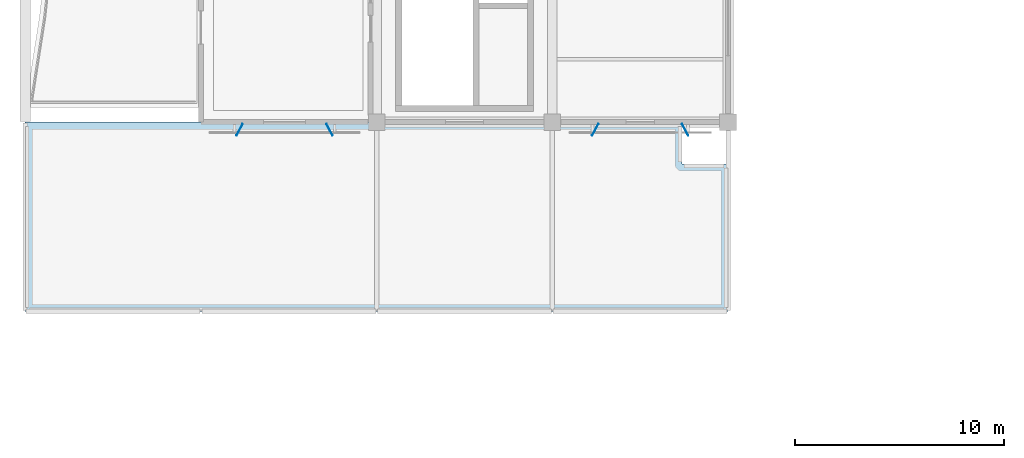
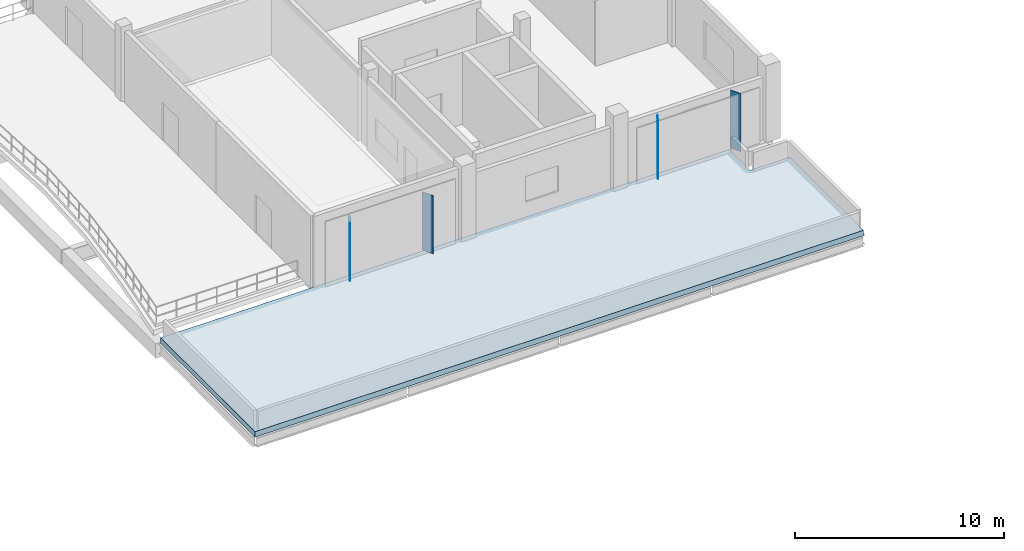
# One storey, part 6 of 34: 4 plates, 1 slab.
"""IFC4 building model written with IfcOpenShell, lengths in metres."""

from ifc_helpers import new_model, si_unit, direction, frame, origin, origin_2d, place, context, subcontext, project, spatial, polyline, rectangle, outline, extrude, material, layer, layer_set, type_object, element, save


model = new_model("IFC4")

# Units and contexts
model_context = context("Model", 3, precision=1e-05, world=origin(), true_north=direction((0.0, 1.0)))
body_context = subcontext(model_context, "Body", "Model", "MODEL_VIEW")
ifc_project = project(units=[si_unit("LENGTHUNIT", "METRE"), si_unit("AREAUNIT", "SQUARE_METRE"), si_unit("VOLUMEUNIT", "CUBIC_METRE"), si_unit("PLANEANGLEUNIT", "RADIAN"), si_unit("MASSUNIT", "GRAM", prefix="KILO")], contexts=[model_context])

# Site, building, storey
site_placement = place(None, origin())
site = spatial("IfcSite", under=ifc_project, at=site_placement, CompositionType="ELEMENT")
building_placement = place(site_placement, origin())
building = spatial("IfcBuilding", under=site, at=building_placement, Name="Khurvash Pelagic Aquarium", CompositionType="ELEMENT")
storey_placement = place(building_placement, frame((0.0, 0.0, 15.60009765625)))
storey = spatial("IfcBuildingStorey", under=building, at=storey_placement, Name="L03", CompositionType="ELEMENT", Elevation=15.60009765625)

# Slab
ifc_material_1 = material(Name="Concrete C35/45", Category="concrete")
ifc_layer_1 = layer(ifc_material_1, 0.320068359375)
ifc_layer_set_1 = layer_set([ifc_layer_1], Name="Concrete C35/45")
slab_type = type_object("IfcSlabType", Name="RS-320", PredefinedType="ROOF", material=ifc_layer_set_1)
slab_placement = place(storey_placement, frame((0.0, 0.0, -0.320068359375)))
element("IfcSlab", 1, at=slab_placement, inside=storey, type_object=slab_type, Name="L03 Insulated Concrete Roof Slab RS-320 ROOF_L03_WSE.1", PredefinedType="ROOF", context=body_context, shape_type="SweptSolid", body=[
    extrude(outline(polyline([(33.60009765625, 56.89990234375), (33.60009765625, 63.949951171875), (31.39990234375, 63.949951171875), (31.39990234375, 65.949951171875), (8.39990234375, 65.949951171875), (0.0, 65.949951171875), (0.0, 56.89990234375), (33.60009765625, 56.89990234375)])), origin(), (0.0, 0.0, 1.0), 0.320068359375),
])

# Plates
ifc_material_2 = material(Name="Anodised aluminium AW-5005", Category="aluminium")
ifc_layer_2 = layer(ifc_material_2, 0.02392578125)
ifc_layer_set_2 = layer_set([ifc_layer_2], Name="Anodised aluminium AW-5005")
plate_type = type_object("IfcPlateType", Name="SP-01", PredefinedType="SHEET", material=ifc_layer_set_2)
for number, where, z_axis, x_axis, name in (
    (2, (10.248046875, 65.58203125, 0.14990234375), (0.0, 0.0, 1.0), (-0.469471562786, -0.882947592859, 0.0), "L03 Parametric Folded Aluminium Solar Screen Fin SP-01 0071"),
    (3, (14.548095703125, 65.58203125, 0.14990234375), (0.0, 0.0, 1.0), (0.469471562786, -0.882947592859, 0.0), "L03 Parametric Folded Aluminium Solar Screen Fin SP-01 0072"),
    (4, (27.25, 65.58203125, 0.14990234375), (0.0, 0.0, 1.0), (-0.469471562786, -0.882947592859, 0.0), "L03 Parametric Folded Aluminium Solar Screen Fin SP-01 0073"),
    (5, (31.550048828125, 65.58203125, 0.14990234375), (0.0, 0.0, 1.0), (0.469471562786, -0.882947592859, 0.0), "L03 Parametric Folded Aluminium Solar Screen Fin SP-01 0074"),
):
    element("IfcPlate", number, at=place(storey_placement, frame(where, z_axis=z_axis, x_axis=x_axis)), inside=storey, type_object=plate_type, Name=name, PredefinedType="SHEET", context=body_context, shape_type="SweptSolid", body=[
        extrude(rectangle(XDim=0.6201171875, YDim=0.02392578125, at=origin_2d()), origin(), (0.0, 0.0, 1.0), 3.39990234375),
    ])

save(model, "model.ifc")
